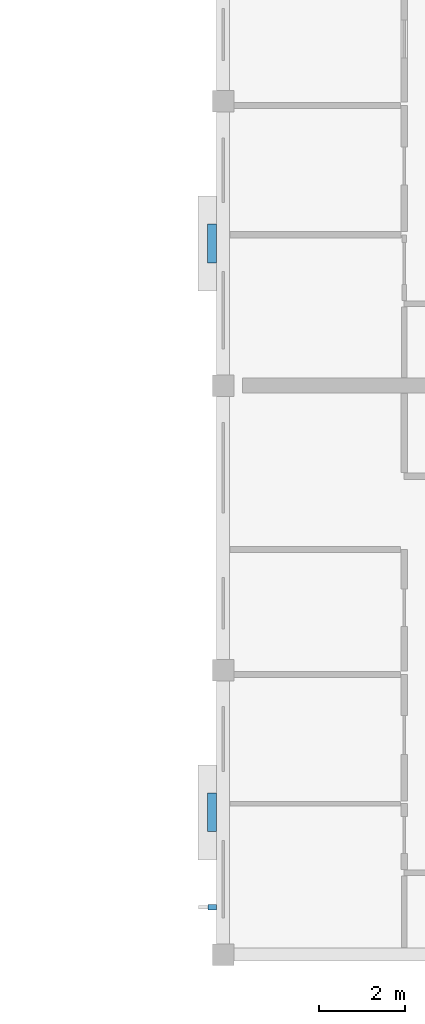
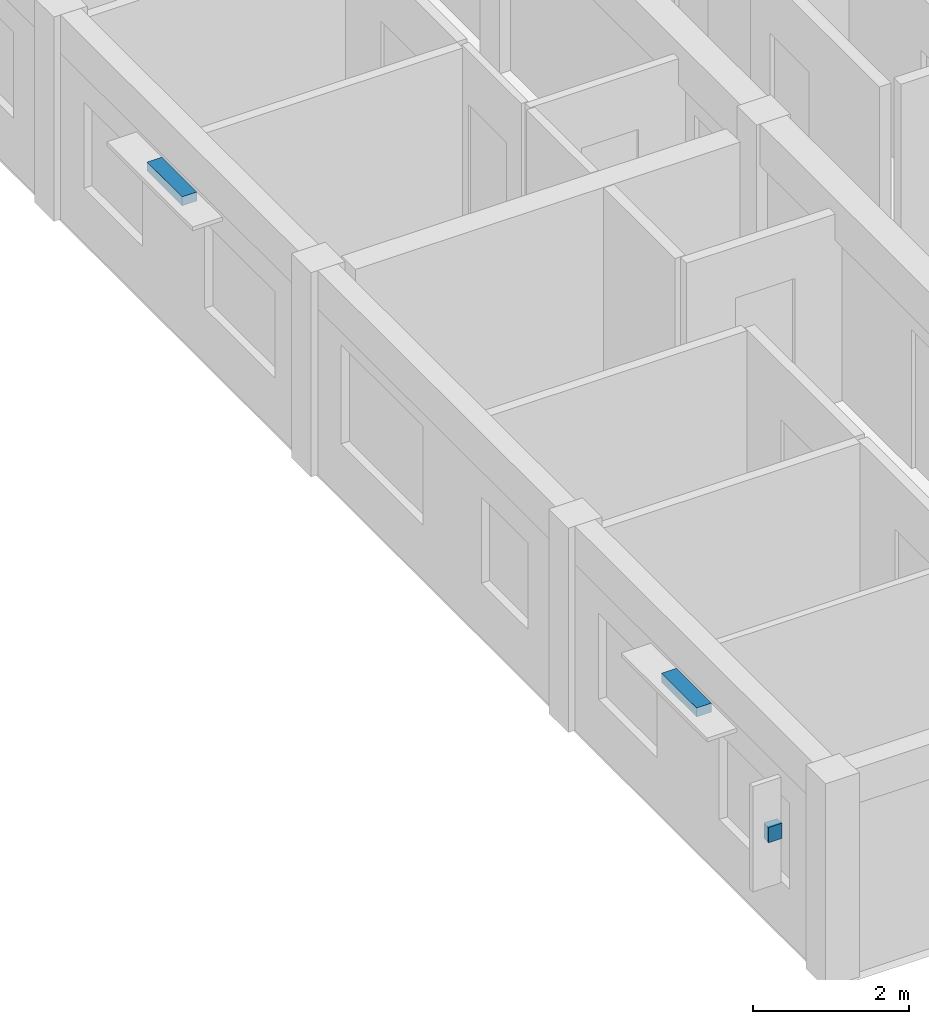
# One storey, part 44 of 52: 3 discrete accessories.
"""IFC4 building model written with IfcOpenShell, lengths in metres."""

from ifc_helpers import new_model, si_unit, direction, frame, origin, origin_2d, place, context, subcontext, project, spatial, rectangle, extrude, material, type_object, element, save


model = new_model("IFC4")

# Units and contexts
model_context = context("Model", 3, precision=1e-05, world=origin(), true_north=direction((0.0, 1.0)))
body_context = subcontext(model_context, "Body", "Model", "MODEL_VIEW")
ifc_project = project(units=[si_unit("LENGTHUNIT", "METRE"), si_unit("AREAUNIT", "SQUARE_METRE"), si_unit("VOLUMEUNIT", "CUBIC_METRE"), si_unit("PLANEANGLEUNIT", "RADIAN"), si_unit("MASSUNIT", "GRAM", prefix="KILO")], contexts=[model_context])

# Site, building, storey
site_placement = place(None, origin())
site = spatial("IfcSite", under=ifc_project, at=site_placement, CompositionType="ELEMENT")
building_placement = place(site_placement, origin())
building = spatial("IfcBuilding", under=site, at=building_placement, Name="Kernevlak Ridge Housing Community", CompositionType="ELEMENT")
storey_placement = place(building_placement, frame((0.0, 0.0, 11.60009765625)))
storey = spatial("IfcBuildingStorey", under=building, at=storey_placement, Name="L03", CompositionType="ELEMENT", Elevation=11.60009765625)

# Discrete accessories
ifc_material = material(Name="Steel S355 galvanised", Category="steel")
discrete_accessory_type = type_object("IfcDiscreteAccessoryType", Name="BK-01", PredefinedType="BRACKET", material=ifc_material)
discrete_accessory_1_placement = place(storey_placement, frame((125.739990234375, 18.89990234375, 2.41015625), z_axis=(0.0, 0.0, 1.0), x_axis=(0.0, 1.0, 0.0)))
element("IfcDiscreteAccessory", 1, at=discrete_accessory_1_placement, inside=storey, type_object=discrete_accessory_type, Name="Sunshade steel bracket 29", PredefinedType="BRACKET", context=body_context, shape_type="SweptSolid", body=[
    extrude(rectangle(XDim=0.89990234375, YDim=0.219970703125, at=origin_2d()), origin(), (0.0, 0.0, 1.0), 0.139892578125),
])
discrete_accessory_2_placement = place(storey_placement, frame((125.75, 16.699951171875, 1.52978515625), z_axis=(0.0, 0.0, 1.0), x_axis=(0.0, 1.0, 0.0)))
element("IfcDiscreteAccessory", 2, at=discrete_accessory_2_placement, inside=storey, type_object=discrete_accessory_type, Name="Vertical fin fixing bracket 29", PredefinedType="BRACKET", context=body_context, shape_type="SweptSolid", body=[
    extrude(rectangle(XDim=0.1201171875, YDim=0.199951171875, at=origin_2d()), origin(), (0.0, 0.0, 1.0), 0.239990234375),
])
discrete_accessory_3_placement = place(storey_placement, frame((125.739990234375, 32.10009765625, 2.41015625), z_axis=(0.0, 0.0, 1.0), x_axis=(0.0, 1.0, 0.0)))
element("IfcDiscreteAccessory", 3, at=discrete_accessory_3_placement, inside=storey, type_object=discrete_accessory_type, Name="Sunshade steel bracket 30", PredefinedType="BRACKET", context=body_context, shape_type="SweptSolid", body=[
    extrude(rectangle(XDim=0.89990234375, YDim=0.219970703125, at=origin_2d()), origin(), (0.0, 0.0, 1.0), 0.139892578125),
])

save(model, "model.ifc")
